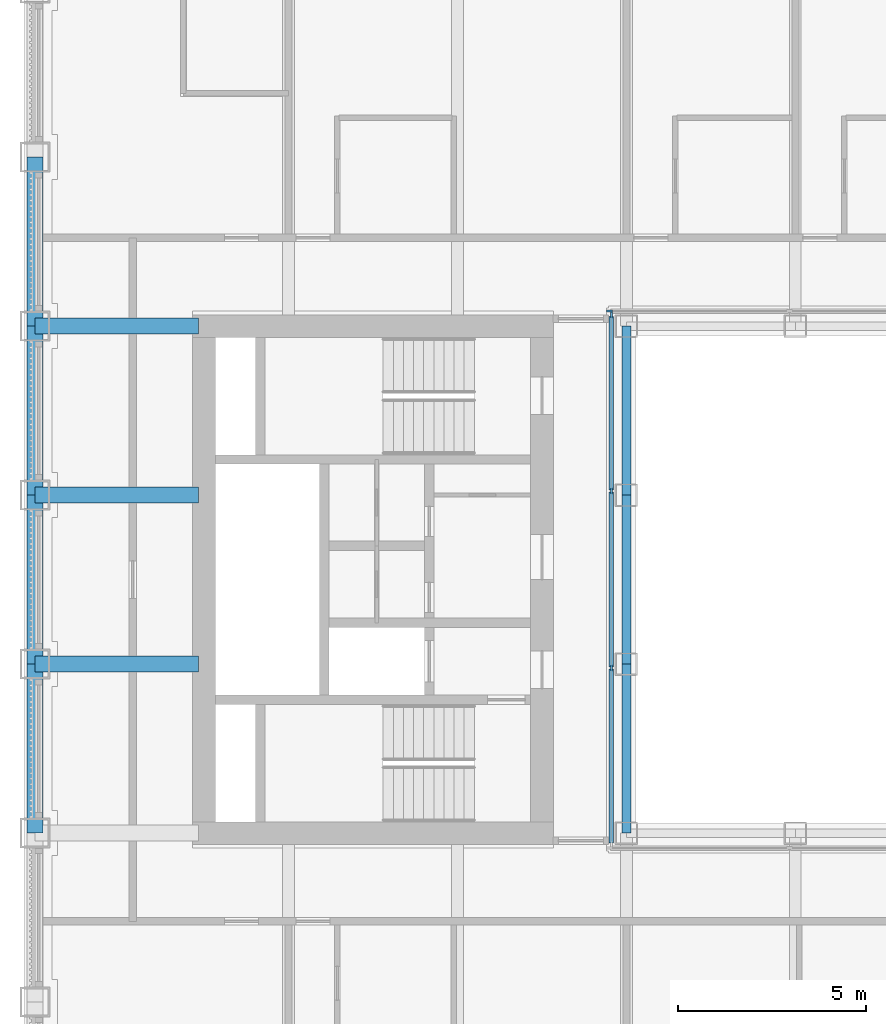
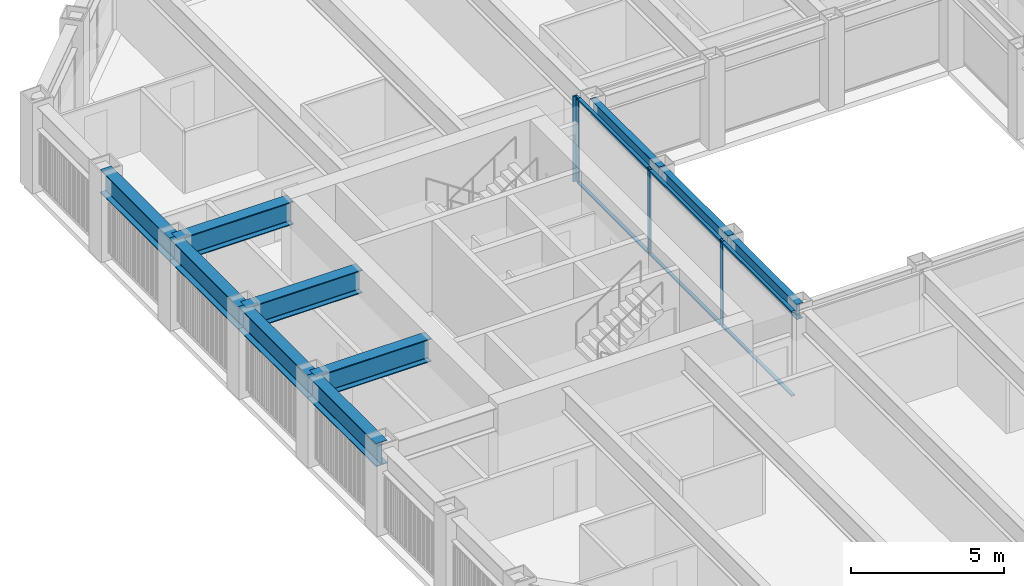
# One storey, part 4 of 17: 10 beams, 10 members, 2 elements without a shape of their own.
"""IFC4 building model written with IfcOpenShell, lengths in metres."""

from ifc_helpers import new_model, si_unit, direction, frame, origin, origin_2d, place, context, subcontext, project, spatial, rectangle, i_section, extrude, material, material_profile, profile_set, type_object, element, aggregate, save


model = new_model("IFC4")

# Units and contexts
model_context = context("Model", 3, precision=1e-05, world=origin(), true_north=direction((0.0, 1.0)))
body_context = subcontext(model_context, "Body", "Model", "MODEL_VIEW")
ifc_project = project(units=[si_unit("LENGTHUNIT", "METRE"), si_unit("AREAUNIT", "SQUARE_METRE"), si_unit("VOLUMEUNIT", "CUBIC_METRE"), si_unit("PLANEANGLEUNIT", "RADIAN"), si_unit("MASSUNIT", "GRAM", prefix="KILO")], contexts=[model_context])

# Site, building, storey
site_placement = place(None, origin())
site = spatial("IfcSite", under=ifc_project, at=site_placement, CompositionType="ELEMENT")
building_placement = place(site_placement, origin())
building = spatial("IfcBuilding", under=site, at=building_placement, Name="Msasa Ring Tower", CompositionType="ELEMENT")
storey_placement = place(building_placement, frame((0.0, 0.0, 161.60009765625)))
storey = spatial("IfcBuildingStorey", under=building, at=storey_placement, Name="L42", CompositionType="ELEMENT", Elevation=161.60009765625)

# Curtain wall, member
ifc_material_1 = material(Name="Aluminium curtain wall with clear glass", Category="aluminium")
curtain_wall_type = type_object("IfcCurtainWallType", Name="CW-W LIGHT WELL CURTAIN WALL", PredefinedType="NOTDEFINED", material=ifc_material_1)
curtain_wall_1_placement = place(storey_placement, origin())
curtain_wall_1 = element("IfcCurtainWall", 1, at=curtain_wall_1_placement, inside=storey, type_object=curtain_wall_type, Name="Light well curtain wall N L42", PredefinedType="NOTDEFINED")
ifc_material_2 = material(Name="Aluminium mullion", Category="aluminium")
ifc_material_profile_1 = material_profile(ifc_material_2, rectangle(XDim=0.06005859375, YDim=0.159912109375, at=origin_2d()), Name="AL 60x160")
ifc_profile_set_1 = profile_set([ifc_material_profile_1], Name="Aluminium mullion")
member_type_1 = type_object("IfcMemberType", Name="CW-W MULLION 60x160", PredefinedType="MULLION", material=ifc_profile_set_1)
member_1_placement = place(storey_placement, frame((-7.199951171875, 7.14990234375, 0.0), z_axis=(0.0, 0.0, 1.0), x_axis=(0.0, 1.0, 0.0)))
member_1 = element("IfcMember", 2, at=member_1_placement, type_object=member_type_1, Name="CW-W mullion 1", PredefinedType="MULLION", context=body_context, shape_type="SweptSolid", body=[
    extrude(rectangle(XDim=0.06005859375, YDim=0.159912109375, at=origin_2d()), origin(), (0.0, 0.0, 1.0), 3.39990234375),
])
aggregate(curtain_wall_1, [member_1])

# Curtain wall, members
curtain_wall_2_placement = place(storey_placement, origin())
curtain_wall_2 = element("IfcCurtainWall", 3, at=curtain_wall_2_placement, inside=storey, type_object=curtain_wall_type, Name="Light well curtain wall W L42", PredefinedType="NOTDEFINED")
member_2_placement = place(storey_placement, frame((-7.14990234375, -2.356689453125, 0.0), z_axis=(0.0, 0.0, 1.0), x_axis=(-1.0, 0.0, 0.0)))
member_2 = element("IfcMember", 4, at=member_2_placement, type_object=member_type_1, Name="CW-W mullion 2", PredefinedType="MULLION", context=body_context, shape_type="SweptSolid", body=[
    extrude(rectangle(XDim=0.06005859375, YDim=0.159912109375, at=origin_2d()), origin(), (0.0, 0.0, 1.0), 3.39990234375),
])
member_3_placement = place(storey_placement, frame((-7.14990234375, 2.356689453125, 0.0), z_axis=(0.0, 0.0, 1.0), x_axis=(-1.0, 0.0, 0.0)))
member_3 = element("IfcMember", 5, at=member_3_placement, type_object=member_type_1, Name="CW-W mullion 3", PredefinedType="MULLION", context=body_context, shape_type="SweptSolid", body=[
    extrude(rectangle(XDim=0.06005859375, YDim=0.159912109375, at=origin_2d()), origin(), (0.0, 0.0, 1.0), 3.39990234375),
])
member_4_placement = place(storey_placement, frame((-7.14990234375, 7.0400390625, 0.0), z_axis=(0.0, 0.0, 1.0), x_axis=(-1.0, 0.0, 0.0)))
member_4 = element("IfcMember", 6, at=member_4_placement, type_object=member_type_1, Name="CW-W mullion 4", PredefinedType="MULLION", context=body_context, shape_type="SweptSolid", body=[
    extrude(rectangle(XDim=0.06005859375, YDim=0.159912109375, at=origin_2d()), origin(), (0.0, 0.0, 1.0), 3.39990234375),
])
ifc_material_3 = material(Name="Aluminium transom", Category="aluminium")
ifc_material_profile_2 = material_profile(ifc_material_3, rectangle(XDim=0.1201171875, YDim=0.06005859375, at=origin_2d()), Name="AL 60x120")
ifc_profile_set_2 = profile_set([ifc_material_profile_2], Name="Aluminium transom")
member_type_2 = type_object("IfcMemberType", Name="CW-W TRANSOM 60x120", PredefinedType="USERDEFINED", material=ifc_profile_set_2)
member_5_placement = place(storey_placement, frame((-7.14990234375, -7.010009765625, 0.02978515625), z_axis=(0.0, 1.0, 0.0), x_axis=(-1.0, 0.0, 0.0)))
member_5 = element("IfcMember", 7, at=member_5_placement, type_object=member_type_2, Name="CW-W transom 1.1", ObjectType="TRANSOM", PredefinedType="USERDEFINED", context=body_context, shape_type="SweptSolid", body=[
    extrude(rectangle(XDim=0.1201171875, YDim=0.06005859375, at=origin_2d()), origin(), (0.0, 0.0, 1.0), 4.623291015625),
])
member_6_placement = place(storey_placement, frame((-7.14990234375, -7.010009765625, 3.369873046875), z_axis=(0.0, 1.0, 0.0), x_axis=(-1.0, 0.0, 0.0)))
member_6 = element("IfcMember", 8, at=member_6_placement, type_object=member_type_2, Name="CW-W transom 1.2", ObjectType="TRANSOM", PredefinedType="USERDEFINED", context=body_context, shape_type="SweptSolid", body=[
    extrude(rectangle(XDim=0.1201171875, YDim=0.06005859375, at=origin_2d()), origin(), (0.0, 0.0, 1.0), 4.623291015625),
])
member_7_placement = place(storey_placement, frame((-7.14990234375, -2.32666015625, 0.02978515625), z_axis=(0.0, 1.0, 0.0), x_axis=(-1.0, 0.0, 0.0)))
member_7 = element("IfcMember", 9, at=member_7_placement, type_object=member_type_2, Name="CW-W transom 2.1", ObjectType="TRANSOM", PredefinedType="USERDEFINED", context=body_context, shape_type="SweptSolid", body=[
    extrude(rectangle(XDim=0.1201171875, YDim=0.06005859375, at=origin_2d()), origin(), (0.0, 0.0, 1.0), 4.6533203125),
])
member_8_placement = place(storey_placement, frame((-7.14990234375, -2.32666015625, 3.369873046875), z_axis=(0.0, 1.0, 0.0), x_axis=(-1.0, 0.0, 0.0)))
member_8 = element("IfcMember", 10, at=member_8_placement, type_object=member_type_2, Name="CW-W transom 2.2", ObjectType="TRANSOM", PredefinedType="USERDEFINED", context=body_context, shape_type="SweptSolid", body=[
    extrude(rectangle(XDim=0.1201171875, YDim=0.06005859375, at=origin_2d()), origin(), (0.0, 0.0, 1.0), 4.6533203125),
])
member_9_placement = place(storey_placement, frame((-7.14990234375, 2.38671875, 0.02978515625), z_axis=(0.0, 1.0, 0.0), x_axis=(-1.0, 0.0, 0.0)))
member_9 = element("IfcMember", 11, at=member_9_placement, type_object=member_type_2, Name="CW-W transom 3.1", ObjectType="TRANSOM", PredefinedType="USERDEFINED", context=body_context, shape_type="SweptSolid", body=[
    extrude(rectangle(XDim=0.1201171875, YDim=0.06005859375, at=origin_2d()), origin(), (0.0, 0.0, 1.0), 4.623291015625),
])
member_10_placement = place(storey_placement, frame((-7.14990234375, 2.38671875, 3.369873046875), z_axis=(0.0, 1.0, 0.0), x_axis=(-1.0, 0.0, 0.0)))
member_10 = element("IfcMember", 12, at=member_10_placement, type_object=member_type_2, Name="CW-W transom 3.2", ObjectType="TRANSOM", PredefinedType="USERDEFINED", context=body_context, shape_type="SweptSolid", body=[
    extrude(rectangle(XDim=0.1201171875, YDim=0.06005859375, at=origin_2d()), origin(), (0.0, 0.0, 1.0), 4.623291015625),
])
aggregate(curtain_wall_2, [member_2, member_3, member_4, member_5, member_6, member_7, member_8, member_9, member_10])

# Beams
ifc_material_4 = material(Name="Steel S355", Category="steel")
ifc_material_profile_3 = material_profile(ifc_material_4, i_section(OverallWidth=0.42041015625, OverallDepth=0.9208984375, WebThickness=0.021484375, FlangeThickness=0.03662109375, FilletRadius=0.024169921875, at=origin_2d()), Name="UB 914x419x388")
ifc_profile_set_3 = profile_set([ifc_material_profile_3], Name="Steel S355")
beam_type_1 = type_object("IfcBeamType", Name="FB2 UB 914x419x388", PredefinedType="BEAM", material=ifc_profile_set_3)
for number, where, z_axis, x_axis, name in (
    (13, (-22.5, -2.25, 2.939453125), (1.0, 0.0, 0.0), (0.0, 1.0, 0.0), "Floor beam W -2.25 under L43"),
    (14, (-22.5, 2.25, 2.939453125), (1.0, 0.0, 0.0), (0.0, 1.0, 0.0), "Floor beam W +2.25 under L43"),
):
    element("IfcBeam", number, at=place(storey_placement, frame(where, z_axis=z_axis, x_axis=x_axis)), inside=storey, type_object=beam_type_1, Name=name, PredefinedType="BEAM", context=body_context, shape_type="SweptSolid", body=[
        extrude(i_section(OverallWidth=0.42041015625, OverallDepth=0.9208984375, WebThickness=0.021484375, FlangeThickness=0.03662109375, FilletRadius=0.024169921875, at=origin_2d()), origin(), (0.0, 0.0, 1.0), 4.35009765625),
    ])
ifc_material_5 = material(Name="Steel S355", Category="steel")
ifc_material_profile_4 = material_profile(ifc_material_5, i_section(OverallWidth=0.42041015625, OverallDepth=0.9208984375, WebThickness=0.021484375, FlangeThickness=0.03662109375, FilletRadius=0.024169921875, at=origin_2d()), Name="UB 914x419x388")
ifc_profile_set_4 = profile_set([ifc_material_profile_4], Name="Steel S355")
beam_type_2 = type_object("IfcBeamType", Name="GB1 UB 914x419x388", PredefinedType="BEAM", material=ifc_profile_set_4)
beam_placement = place(storey_placement, frame((-18.14990234375, 6.75, 2.939453125), z_axis=(-1.0, 0.0, 0.0), x_axis=(0.0, -1.0, 0.0)))
element("IfcBeam", 15, at=beam_placement, inside=storey, type_object=beam_type_2, Name="Girder W +6.75 under L43", PredefinedType="BEAM", context=body_context, shape_type="SweptSolid", body=[
    extrude(i_section(OverallWidth=0.42041015625, OverallDepth=0.9208984375, WebThickness=0.021484375, FlangeThickness=0.03662109375, FilletRadius=0.024169921875, at=origin_2d()), origin(), (0.0, 0.0, 1.0), 4.35009765625),
])
ifc_material_6 = material(Name="Steel S355", Category="steel")
ifc_material_profile_5 = material_profile(ifc_material_6, i_section(OverallWidth=0.230224609375, OverallDepth=0.6171875, WebThickness=0.01318359375, FlangeThickness=0.022216796875, FilletRadius=0.0126953125, at=origin_2d()), Name="UB 610x229x140")
ifc_profile_set_5 = profile_set([ifc_material_profile_5], Name="Steel S355")
beam_type_3 = type_object("IfcBeamType", Name="RB1 UB 610x229x140", PredefinedType="BEAM", material=ifc_profile_set_5)
for number, where, z_axis, x_axis, name in (
    (16, (-6.75, -2.25, 3.09130859375), (0.0, -1.0, 0.0), (1.0, 0.0, 0.0), "Inner ring beam IR-6.75-2.25 under L43"),
    (17, (-6.75, 6.75, 3.09130859375), (0.0, -1.0, 0.0), (1.0, 0.0, 0.0), "Inner ring beam IR-6.75+6.75 under L43"),
    (18, (-6.75, 2.25, 3.09130859375), (0.0, -1.0, 0.0), (1.0, 0.0, 0.0), "Inner ring beam IR-6.75+2.25 under L43"),
):
    element("IfcBeam", number, at=place(storey_placement, frame(where, z_axis=z_axis, x_axis=x_axis)), inside=storey, type_object=beam_type_3, Name=name, PredefinedType="BEAM", context=body_context, shape_type="SweptSolid", body=[
        extrude(i_section(OverallWidth=0.230224609375, OverallDepth=0.6171875, WebThickness=0.01318359375, FlangeThickness=0.022216796875, FilletRadius=0.0126953125, at=origin_2d()), origin(), (0.0, 0.0, 1.0), 4.5),
    ])
ifc_material_7 = material(Name="Steel S355", Category="steel")
ifc_material_profile_6 = material_profile(ifc_material_7, i_section(OverallWidth=0.42041015625, OverallDepth=0.9208984375, WebThickness=0.021484375, FlangeThickness=0.03662109375, FilletRadius=0.024169921875, at=origin_2d()), Name="UB 914x419x388")
ifc_profile_set_6 = profile_set([ifc_material_profile_6], Name="Steel S355")
beam_type_4 = type_object("IfcBeamType", Name="SB1 UB 914x419x388", PredefinedType="SPANDREL", material=ifc_profile_set_6)
for number, where, z_axis, x_axis, name in (
    (19, (-22.5, -2.25, 2.939453125), (0.0, -1.0, 0.0), (1.0, 0.0, 0.0), "Spandrel W-2.25 to W-6.75 under L43"),
    (20, (-22.5, 11.25, 2.939453125), (0.0, -1.0, 0.0), (1.0, 0.0, 0.0), "Spandrel W+11.25 to W+6.75 under L43"),
    (21, (-22.5, 6.75, 2.939453125), (0.0, -1.0, 0.0), (1.0, 0.0, 0.0), "Spandrel W+6.75 to W+2.25 under L43"),
    (22, (-22.5, 2.25, 2.939453125), (0.0, -1.0, 0.0), (1.0, 0.0, 0.0), "Spandrel W+2.25 to W-2.25 under L43"),
):
    element("IfcBeam", number, at=place(storey_placement, frame(where, z_axis=z_axis, x_axis=x_axis)), inside=storey, type_object=beam_type_4, Name=name, PredefinedType="SPANDREL", context=body_context, shape_type="SweptSolid", body=[
        extrude(i_section(OverallWidth=0.42041015625, OverallDepth=0.9208984375, WebThickness=0.021484375, FlangeThickness=0.03662109375, FilletRadius=0.024169921875, at=origin_2d()), origin(), (0.0, 0.0, 1.0), 4.5),
    ])

save(model, "model.ifc")
